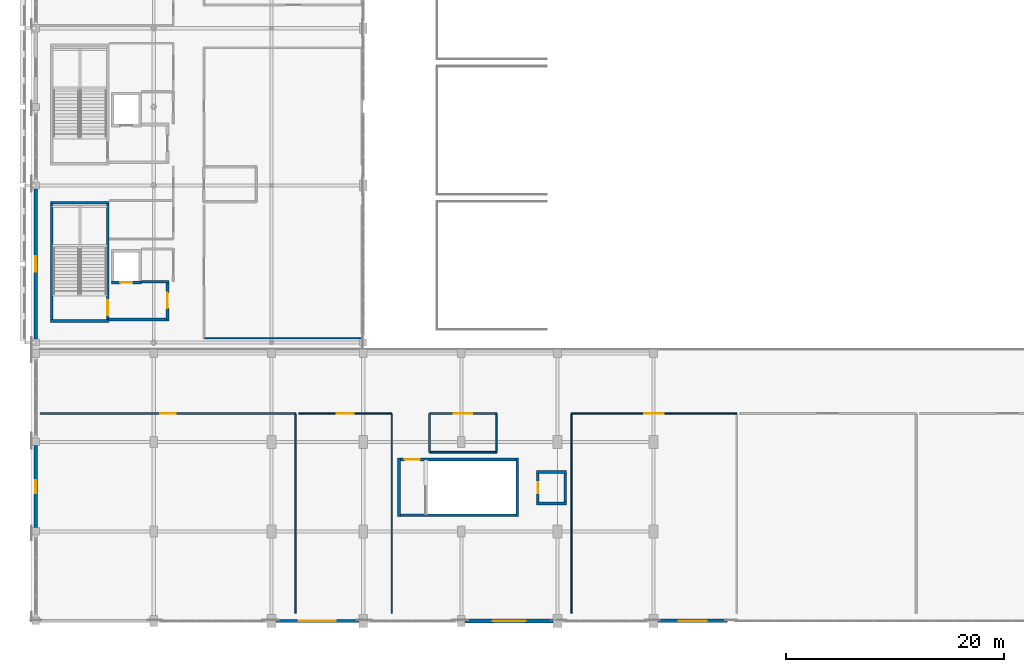
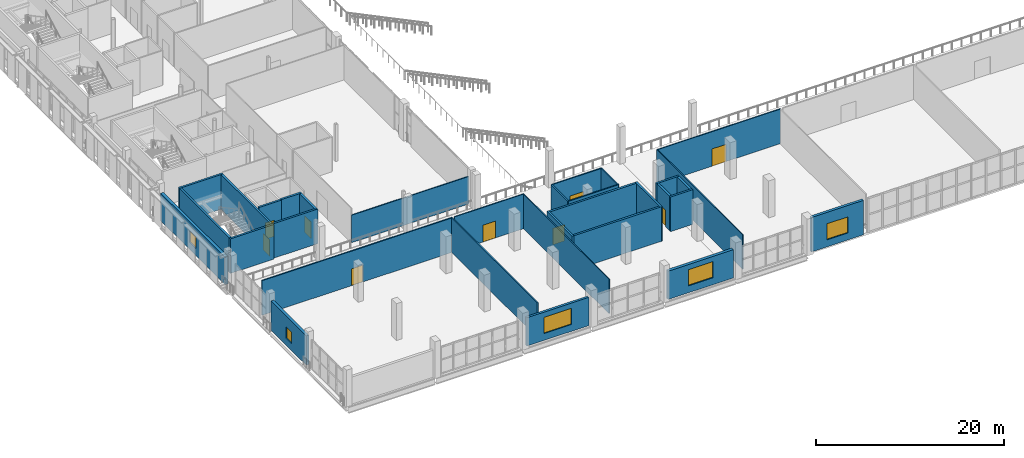
# One storey, part 62 of 104: 32 walls, 9 doors, 5 windows, 14 openings.
"""IFC4 building model written with IfcOpenShell, lengths in metres."""

from ifc_helpers import new_model, si_unit, direction, frame, frame_2d, origin, place, context, subcontext, project, spatial, rectangle, extrude, material, layer, layer_set, type_object, element, fill, save


model = new_model("IFC4")

# Units and contexts
model_context = context("Model", 3, precision=1e-05, world=origin(), true_north=direction((0.0, 1.0)))
body_context = subcontext(model_context, "Body", "Model", "MODEL_VIEW")
ifc_project = project(units=[si_unit("LENGTHUNIT", "METRE"), si_unit("AREAUNIT", "SQUARE_METRE"), si_unit("VOLUMEUNIT", "CUBIC_METRE"), si_unit("PLANEANGLEUNIT", "RADIAN"), si_unit("MASSUNIT", "GRAM", prefix="KILO")], contexts=[model_context])

# Site, building, storey
site_placement = place(None, origin())
site = spatial("IfcSite", under=ifc_project, at=site_placement, CompositionType="ELEMENT")
building_placement = place(site_placement, origin())
building = spatial("IfcBuilding", under=site, at=building_placement, Name="Koshinbarg Plaza Stadium", CompositionType="ELEMENT")
storey_placement = place(building_placement, frame((0.0, 0.0, 19.800048828125)))
storey = spatial("IfcBuildingStorey", under=building, at=storey_placement, Name="L04", CompositionType="ELEMENT", Elevation=19.800048828125)

# Walls
ifc_material_1 = material(Name="Concrete C40/50", Category="concrete")
ifc_layer_1 = layer(ifc_material_1, 0.25)
ifc_layer_set_1 = layer_set([ifc_layer_1], Name="Concrete C40/50")
wall_type_1 = type_object("IfcWallType", Name="WL-CORE-250", PredefinedType="SHEAR", material=ifc_layer_set_1)
for number, where, z_axis, x_axis, name in (
    (1, (25.949951171875, 27.47509765625, 0.0), (0.0, 0.0, 1.0), (1.0, 0.0, 0.0), "L04 core stair shear wall C01-near IWL-L04-0017"),
    (2, (31.320068359375, 38.324951171875, 0.0), (0.0, 0.0, 1.0), (-1.0, 0.0, 0.0), "L04 core stair shear wall C01-far IWL-L04-0018"),
):
    element("IfcWall", number, at=place(storey_placement, frame(where, z_axis=z_axis, x_axis=x_axis)), inside=storey, type_object=wall_type_1, Name=name, PredefinedType="SHEAR", context=body_context, shape_type="SweptSolid", body=[
        extrude(rectangle(XDim=5.3701171875, YDim=0.25, at=frame_2d((2.68505859375, 0.0))), origin(), (0.0, 0.0, 1.0), 4.5),
    ])
wall_1_placement = place(storey_placement, frame((26.074951171875, 27.47509765625, 0.0), z_axis=(0.0, 0.0, 1.0), x_axis=(0.0, 1.0, 0.0)))
element("IfcWall", 3, at=wall_1_placement, inside=storey, type_object=wall_type_1, Name="L04 core stair shear wall C01-left IWL-L04-0019", PredefinedType="SHEAR", context=body_context, shape_type="SweptSolid", body=[
    extrude(rectangle(XDim=10.849853515625, YDim=0.25, at=frame_2d((5.4248046875, 0.0))), origin(), (0.0, 0.0, 1.0), 4.5),
])

# Wall, opening, door
wall_2_placement = place(storey_placement, frame((31.195068359375, 27.47509765625, 0.0), z_axis=(0.0, 0.0, 1.0), x_axis=(0.0, 1.0, 0.0)))
wall_2 = element("IfcWall", 4, at=wall_2_placement, inside=storey, type_object=wall_type_1, Name="L04 core stair shear wall C01-right IWL-L04-0020", PredefinedType="SHEAR", context=body_context, shape_type="SweptSolid", body=[
    extrude(rectangle(XDim=10.849853515625, YDim=0.25, at=frame_2d((5.4248046875, 0.0))), origin(), (0.0, 0.0, 1.0), 4.5),
])
opening_1_placement = place(wall_2_placement, frame((0.52001953125, 0.0, 0.0)))
opening_1 = element("IfcOpeningElement", 5, at=opening_1_placement, cuts=wall_2, Name="Opening D-0065", PredefinedType="OPENING", context=body_context, shape_type="SweptSolid", body=[
    extrude(rectangle(XDim=1.39990234375, YDim=2.14990234375, at=frame_2d((0.699951171875, 1.074951171875))), frame((0.0, 0.135009765625, 0.0), z_axis=(0.0, -1.0, 0.0), x_axis=(1.0, 0.0, 0.0)), (0.0, 0.0, 1.0), 0.27001953125),
])
ifc_material_2 = material(Name="Painted galvanized steel fire door", Category="steel")
door_type_1 = type_object("IfcDoorType", Name="DR-STAIR-1400", OperationType="NOTDEFINED", PredefinedType="DOOR", material=ifc_material_2)
door_1_placement = place(opening_1_placement, origin())
door_1 = element("IfcDoor", 6, at=door_1_placement, inside=storey, type_object=door_type_1, Name="L04 exit stair door C01", OperationType="SINGLE_SWING_LEFT", OverallHeight=2.14990234375, OverallWidth=1.39990234375, PredefinedType="DOOR", context=body_context, shape_type="SweptSolid", body=[
    extrude(rectangle(XDim=1.39990234375, YDim=2.14990234375, at=frame_2d((0.699951171875, 1.074951171875))), frame((0.0, 0.02490234375, 0.0), z_axis=(0.0, -1.0, 0.0), x_axis=(1.0, 0.0, 0.0)), (0.0, 0.0, 1.0), 0.050048828125),
])
fill(opening_1, door_1)

# Walls
for number, where, z_axis, x_axis, name in (
    (7, (57.875, 14.919921875, 0.0), (0.0, 0.0, 1.0), (0.0, -1.0, 0.0), "L04 core stair shear wall C13-near IWL-L04-0306"),
    (8, (68.72509765625, 9.550048828125, 0.0), (0.0, 0.0, 1.0), (0.0, 1.0, 0.0), "L04 core stair shear wall C13-far IWL-L04-0307"),
):
    element("IfcWall", number, at=place(storey_placement, frame(where, z_axis=z_axis, x_axis=x_axis)), inside=storey, type_object=wall_type_1, Name=name, PredefinedType="SHEAR", context=body_context, shape_type="SweptSolid", body=[
        extrude(rectangle(XDim=5.369873046875, YDim=0.25, at=frame_2d((2.68505859375, 0.0))), origin(), (0.0, 0.0, 1.0), 4.5),
    ])

# Wall, opening, door
wall_3_placement = place(storey_placement, frame((57.875, 14.794921875, 0.0), z_axis=(0.0, 0.0, 1.0), x_axis=(1.0, 0.0, 0.0)))
wall_3 = element("IfcWall", 9, at=wall_3_placement, inside=storey, type_object=wall_type_1, Name="L04 core stair shear wall C13-left IWL-L04-0308", PredefinedType="SHEAR", context=body_context, shape_type="SweptSolid", body=[
    extrude(rectangle(XDim=10.85009765625, YDim=0.25, at=frame_2d((5.425048828125, 0.0))), origin(), (0.0, 0.0, 1.0), 4.5),
])
opening_2_placement = place(wall_3_placement, frame((0.52001953125, 0.0, 0.0)))
opening_2 = element("IfcOpeningElement", 10, at=opening_2_placement, cuts=wall_3, Name="Opening D-0139", PredefinedType="OPENING", context=body_context, shape_type="SweptSolid", body=[
    extrude(rectangle(XDim=1.39990234375, YDim=2.14990234375, at=frame_2d((0.699951171875, 1.074951171875))), frame((0.0, 0.135009765625, 0.0), z_axis=(0.0, -1.0, 0.0), x_axis=(1.0, 0.0, 0.0)), (0.0, 0.0, 1.0), 0.27001953125),
])
door_2_placement = place(opening_2_placement, frame((1.39990234375, 0.0, 0.0), z_axis=(0.0, 0.0, 1.0), x_axis=(-1.0, 0.0, 0.0)))
door_2 = element("IfcDoor", 11, at=door_2_placement, inside=storey, type_object=door_type_1, Name="L04 exit stair door C13", OperationType="SINGLE_SWING_LEFT", OverallHeight=2.14990234375, OverallWidth=1.39990234375, PredefinedType="DOOR", context=body_context, shape_type="SweptSolid", body=[
    extrude(rectangle(XDim=1.39990234375, YDim=2.14990234375, at=frame_2d((0.699951171875, 1.074951171875))), frame((0.0, 0.02490234375, 0.0), z_axis=(0.0, -1.0, 0.0), x_axis=(1.0, 0.0, 0.0)), (0.0, 0.0, 1.0), 0.050048828125),
])
fill(opening_2, door_2)

# Wall
wall_4_placement = place(storey_placement, frame((57.875, 9.675048828125, 0.0), z_axis=(0.0, 0.0, 1.0), x_axis=(1.0, 0.0, 0.0)))
element("IfcWall", 12, at=wall_4_placement, inside=storey, type_object=wall_type_1, Name="L04 core stair shear wall C13-right IWL-L04-0309", PredefinedType="SHEAR", context=body_context, shape_type="SweptSolid", body=[
    extrude(rectangle(XDim=10.85009765625, YDim=0.25, at=frame_2d((5.425048828125, 0.0))), origin(), (0.0, 0.0, 1.0), 4.5),
])

# Wall, opening, door
wall_5_placement = place(storey_placement, frame((31.52490234375, 31.0, 0.0), z_axis=(0.0, 0.0, 1.0), x_axis=(1.0, 0.0, 0.0)))
wall_5 = element("IfcWall", 13, at=wall_5_placement, inside=storey, type_object=wall_type_1, Name="L04 lift shaft shear wall FL01-S IWL-L04-0638", PredefinedType="SHEAR", context=body_context, shape_type="SweptSolid", body=[
    extrude(rectangle(XDim=2.75, YDim=0.25, at=frame_2d((1.375, 0.0))), origin(), (0.0, 0.0, 1.0), 4.5),
])
opening_3_placement = place(wall_5_placement, frame((0.824951171875, 0.0, 0.0)))
opening_3 = element("IfcOpeningElement", 14, at=opening_3_placement, cuts=wall_5, Name="Opening D-0223", PredefinedType="OPENING", context=body_context, shape_type="SweptSolid", body=[
    extrude(rectangle(XDim=1.10009765625, YDim=2.14990234375, at=frame_2d((0.550048828125, 1.074951171875))), frame((0.0, 0.135009765625, 0.0), z_axis=(0.0, -1.0, 0.0), x_axis=(1.0, 0.0, 0.0)), (0.0, 0.0, 1.0), 0.27001953125),
])
ifc_material_3 = material(Name="Brushed stainless steel sliding lift landing door", Category="steel")
door_type_2 = type_object("IfcDoorType", Name="DR-LIFT-1100", OperationType="NOTDEFINED", PredefinedType="DOOR", material=ifc_material_3)
door_3_placement = place(opening_3_placement, origin())
door_3 = element("IfcDoor", 15, at=door_3_placement, inside=storey, type_object=door_type_2, Name="L04 lift landing door FL01", OperationType="SLIDING_TO_RIGHT", OverallHeight=2.14990234375, OverallWidth=1.10009765625, PredefinedType="DOOR", context=body_context, shape_type="SweptSolid", body=[
    extrude(rectangle(XDim=1.10009765625, YDim=2.14990234375, at=frame_2d((0.550048828125, 1.074951171875))), frame((0.0, 0.02490234375, 0.0), z_axis=(0.0, -1.0, 0.0), x_axis=(1.0, 0.0, 0.0)), (0.0, 0.0, 1.0), 0.050048828125),
])
fill(opening_3, door_3)

wall_6_placement = place(storey_placement, frame((36.675048828125, 27.625, 0.0), z_axis=(0.0, 0.0, 1.0), x_axis=(0.0, 1.0, 0.0)))
wall_6 = element("IfcWall", 16, at=wall_6_placement, inside=storey, type_object=wall_type_1, Name="L04 firefighting lobby wall C01-E IWL-L04-0642", PredefinedType="SHEAR", context=body_context, shape_type="SweptSolid", body=[
    extrude(rectangle(XDim=3.449951171875, YDim=0.25, at=frame_2d((1.72509765625, 0.0))), origin(), (0.0, 0.0, 1.0), 4.5),
])
opening_4_placement = place(wall_6_placement, frame((1.02490234375, 0.0, 0.0)))
opening_4 = element("IfcOpeningElement", 17, at=opening_4_placement, cuts=wall_6, Name="Opening D-0224", PredefinedType="OPENING", context=body_context, shape_type="SweptSolid", body=[
    extrude(rectangle(XDim=1.39990234375, YDim=2.14990234375, at=frame_2d((0.699951171875, 1.074951171875))), frame((0.0, 0.135009765625, 0.0), z_axis=(0.0, -1.0, 0.0), x_axis=(1.0, 0.0, 0.0)), (0.0, 0.0, 1.0), 0.27001953125),
])
ifc_material_4 = material(Name="Smoke-sealed steel firefighting lobby door", Category="steel")
door_type_3 = type_object("IfcDoorType", Name="DR-FFLOB-1400", OperationType="NOTDEFINED", PredefinedType="DOOR", material=ifc_material_4)
door_4_placement = place(opening_4_placement, origin())
door_4 = element("IfcDoor", 18, at=door_4_placement, inside=storey, type_object=door_type_3, Name="L04 firefighting lobby fire door C01", OperationType="DOUBLE_DOOR_SINGLE_SWING", OverallHeight=2.14990234375, OverallWidth=1.39990234375, PredefinedType="DOOR", context=body_context, shape_type="SweptSolid", body=[
    extrude(rectangle(XDim=1.39990234375, YDim=2.14990234375, at=frame_2d((0.699951171875, 1.074951171875))), frame((0.0, 0.02490234375, 0.0), z_axis=(0.0, -1.0, 0.0), x_axis=(1.0, 0.0, 0.0)), (0.0, 0.0, 1.0), 0.050048828125),
])
fill(opening_4, door_4)

# Walls
wall_7_placement = place(storey_placement, frame((34.27490234375, 31.074951171875, 0.0), z_axis=(0.0, 0.0, 1.0), x_axis=(1.0, 0.0, 0.0)))
element("IfcWall", 19, at=wall_7_placement, inside=storey, type_object=wall_type_1, Name="L04 firefighting lobby wall C01-NE IWL-L04-0643", PredefinedType="SHEAR", context=body_context, shape_type="SweptSolid", body=[
    extrude(rectangle(XDim=2.525146484375, YDim=0.25, at=frame_2d((1.2626953125, 0.0))), origin(), (0.0, 0.0, 1.0), 4.5),
])
wall_8_placement = place(storey_placement, frame((31.199951171875, 27.625, 0.0), z_axis=(0.0, 0.0, 1.0), x_axis=(1.0, 0.0, 0.0)))
element("IfcWall", 20, at=wall_8_placement, inside=storey, type_object=wall_type_1, Name="L04 firefighting lobby wall C01-S IWL-L04-0644", PredefinedType="SHEAR", context=body_context, shape_type="SweptSolid", body=[
    extrude(rectangle(XDim=5.60009765625, YDim=0.25, at=frame_2d((2.800048828125, 0.0))), origin(), (0.0, 0.0, 1.0), 4.5),
])
for number, where, z_axis, x_axis, name in (
    (21, (70.47509765625, 10.75, 0.0), (0.0, 0.0, 1.0), (1.0, 0.0, 0.0), "L04 lift shaft shear wall LP09-S IWL-L04-1006"),
    (22, (73.22509765625, 13.64990234375, 0.0), (0.0, 0.0, 1.0), (-1.0, 0.0, 0.0), "L04 lift shaft shear wall LP09-N IWL-L04-1007"),
):
    element("IfcWall", number, at=place(storey_placement, frame(where, z_axis=z_axis, x_axis=x_axis)), inside=storey, type_object=wall_type_1, Name=name, PredefinedType="SHEAR", context=body_context, shape_type="SweptSolid", body=[
        extrude(rectangle(XDim=2.75, YDim=0.25, at=frame_2d((1.375, 0.0))), origin(), (0.0, 0.0, 1.0), 4.5),
    ])

# Wall, opening, door
wall_9_placement = place(storey_placement, frame((70.60009765625, 13.64990234375, 0.0), z_axis=(0.0, 0.0, 1.0), x_axis=(0.0, -1.0, 0.0)))
wall_9 = element("IfcWall", 23, at=wall_9_placement, inside=storey, type_object=wall_type_1, Name="L04 lift shaft shear wall LP09-W IWL-L04-1008", PredefinedType="SHEAR", context=body_context, shape_type="SweptSolid", body=[
    extrude(rectangle(XDim=2.89990234375, YDim=0.25, at=frame_2d((1.449951171875, 0.0))), origin(), (0.0, 0.0, 1.0), 4.5),
])
opening_5_placement = place(wall_9_placement, frame((0.925048828125, 0.0, 0.0)))
opening_5 = element("IfcOpeningElement", 24, at=opening_5_placement, cuts=wall_9, Name="Opening D-0321", PredefinedType="OPENING", context=body_context, shape_type="SweptSolid", body=[
    extrude(rectangle(XDim=1.050048828125, YDim=2.14990234375, at=frame_2d((0.52490234375, 1.074951171875))), frame((0.0, 0.135009765625, 0.0), z_axis=(0.0, -1.0, 0.0), x_axis=(1.0, 0.0, 0.0)), (0.0, 0.0, 1.0), 0.27001953125),
])
door_type_4 = type_object("IfcDoorType", Name="DR-LIFT-1050", OperationType="NOTDEFINED", PredefinedType="DOOR", material=ifc_material_3)
door_5_placement = place(opening_5_placement, origin())
door_5 = element("IfcDoor", 25, at=door_5_placement, inside=storey, type_object=door_type_4, Name="L04 lift landing door LP09", OperationType="SLIDING_TO_RIGHT", OverallHeight=2.14990234375, OverallWidth=1.050048828125, PredefinedType="DOOR", context=body_context, shape_type="SweptSolid", body=[
    extrude(rectangle(XDim=1.050048828125, YDim=2.14990234375, at=frame_2d((0.52490234375, 1.074951171875))), frame((0.0, 0.02490234375, 0.0), z_axis=(0.0, -1.0, 0.0), x_axis=(1.0, 0.0, 0.0)), (0.0, 0.0, 1.0), 0.050048828125),
])
fill(opening_5, door_5)

# Wall
wall_10_placement = place(storey_placement, frame((73.10009765625, 10.75, 0.0), z_axis=(0.0, 0.0, 1.0), x_axis=(0.0, 1.0, 0.0)))
element("IfcWall", 26, at=wall_10_placement, inside=storey, type_object=wall_type_1, Name="L04 lift shaft shear wall LP09-E IWL-L04-1009", PredefinedType="SHEAR", context=body_context, shape_type="SweptSolid", body=[
    extrude(rectangle(XDim=2.89990234375, YDim=0.25, at=frame_2d((1.449951171875, 0.0))), origin(), (0.0, 0.0, 1.0), 4.5),
])

# Wall, opening, window
ifc_material_5 = material(Name="Terracotta-ochre mineral plaster insulated wall", Category="masonry")
ifc_layer_2 = layer(ifc_material_5, 0.280029296875)
ifc_layer_set_2 = layer_set([ifc_layer_2], Name="Terracotta-ochre mineral plaster insulated wall")
wall_type_2 = type_object("IfcWallType", Name="WL-EXT-280", PredefinedType="SOLIDWALL", material=ifc_layer_set_2)
wall_11_placement = place(storey_placement, frame((54.205078125, 0.0, 0.0), z_axis=(0.0, 0.0, 1.0), x_axis=(-1.0, 0.0, 0.0)))
wall_11 = element("IfcWall", 27, at=wall_11_placement, inside=storey, type_object=wall_type_2, Name="L04 exterior envelope wall EWL-L04-0220", PredefinedType="SOLIDWALL", context=body_context, shape_type="SweptSolid", body=[
    extrude(rectangle(XDim=7.610107421875, YDim=0.280029296875, at=frame_2d((3.80517578125, 0.0))), origin(), (0.0, 0.0, 1.0), 3.679931640625),
])
opening_6_placement = place(wall_11_placement, frame((2.10498046875, 0.0, 0.89990234375)))
opening_6 = element("IfcOpeningElement", 28, at=opening_6_placement, cuts=wall_11, Name="Opening WN18", PredefinedType="OPENING", context=body_context, shape_type="SweptSolid", body=[
    extrude(rectangle(XDim=3.39990234375, YDim=2.10009765625, at=frame_2d((1.699951171875, 1.050048828125))), frame((0.0, 0.14990234375, 0.0), z_axis=(0.0, -1.0, 0.0), x_axis=(1.0, 0.0, 0.0)), (0.0, 0.0, 1.0), 0.300048828125),
])
ifc_material_6 = material(Name="Solar-control double glazing in thermally broken aluminium frame", Category="aluminium")
window_type_1 = type_object("IfcWindowType", Name="WN-FAC-18", PartitioningType="DOUBLE_PANEL_VERTICAL", PredefinedType="WINDOW", material=ifc_material_6)
window_1_placement = place(opening_6_placement, origin())
window_1 = element("IfcWindow", 29, at=window_1_placement, inside=storey, type_object=window_type_1, Name="L04 facade window 0152", OverallHeight=2.10009765625, OverallWidth=3.39990234375, PartitioningType="SINGLE_PANEL", PredefinedType="WINDOW", context=body_context, shape_type="SweptSolid", body=[
    extrude(rectangle(XDim=3.39990234375, YDim=2.10009765625, at=frame_2d((1.699951171875, 1.050048828125))), frame((0.0, 0.030029296875, 0.0), z_axis=(0.0, -1.0, 0.0), x_axis=(1.0, 0.0, 0.0)), (0.0, 0.0, 1.0), 0.06005859375),
])
fill(opening_6, window_1)

ifc_material_7 = material(Name="Ultramarine-blue pigmented mineral plaster facade wall", Category="masonry")
ifc_layer_3 = layer(ifc_material_7, 0.320068359375)
ifc_layer_set_3 = layer_set([ifc_layer_3], Name="Ultramarine-blue pigmented mineral plaster facade wall")
wall_type_3 = type_object("IfcWallType", Name="WL-EXT-320", PredefinedType="SOLIDWALL", material=ifc_layer_set_3)
wall_12_placement = place(storey_placement, frame((24.60009765625, 8.544921875, 0.0), z_axis=(0.0, 0.0, 1.0), x_axis=(0.0, 1.0, 0.0)))
wall_12 = element("IfcWall", 30, at=wall_12_placement, inside=storey, type_object=wall_type_3, Name="L04 exterior envelope wall EWL-L04-0202", PredefinedType="SOLIDWALL", context=body_context, shape_type="SweptSolid", body=[
    extrude(rectangle(XDim=7.510009765625, YDim=0.320068359375, at=frame_2d((3.7548828125, 0.0))), origin(), (0.0, 0.0, 1.0), 3.820068359375),
])
opening_7_placement = place(wall_12_placement, frame((3.155029296875, 0.0, 0.89990234375)))
opening_7 = element("IfcOpeningElement", 31, at=opening_7_placement, cuts=wall_12, Name="Opening WN01", PredefinedType="OPENING", context=body_context, shape_type="SweptSolid", body=[
    extrude(rectangle(XDim=1.199951171875, YDim=1.5, at=frame_2d((0.60009765625, 0.75))), frame((0.0, 0.169921875, 0.0), z_axis=(0.0, -1.0, 0.0), x_axis=(1.0, 0.0, 0.0)), (0.0, 0.0, 1.0), 0.340087890625),
])
window_type_2 = type_object("IfcWindowType", Name="WN-FAC-01", PartitioningType="DOUBLE_PANEL_VERTICAL", PredefinedType="WINDOW", material=ifc_material_6)
window_2_placement = place(opening_7_placement, origin())
window_2 = element("IfcWindow", 32, at=window_2_placement, inside=storey, type_object=window_type_2, Name="L04 facade window 0135", OverallHeight=1.5, OverallWidth=1.199951171875, PartitioningType="SINGLE_PANEL", PredefinedType="WINDOW", context=body_context, shape_type="SweptSolid", body=[
    extrude(rectangle(XDim=1.199951171875, YDim=1.5, at=frame_2d((0.60009765625, 0.75))), frame((0.0, 0.030029296875, 0.0), z_axis=(0.0, -1.0, 0.0), x_axis=(1.0, 0.0, 0.0)), (0.0, 0.0, 1.0), 0.06005859375),
])
fill(opening_7, window_2)

wall_13_placement = place(storey_placement, frame((88.0, 0.0, 0.0), z_axis=(0.0, 0.0, 1.0), x_axis=(-1.0, 0.0, 0.0)))
wall_13 = element("IfcWall", 33, at=wall_13_placement, inside=storey, type_object=wall_type_3, Name="L04 exterior envelope wall EWL-L04-0218", PredefinedType="SOLIDWALL", context=body_context, shape_type="SweptSolid", body=[
    extrude(rectangle(XDim=6.405029296875, YDim=0.320068359375, at=frame_2d((3.20263671875, 0.0))), origin(), (0.0, 0.0, 1.0), 4.47998046875),
])
opening_8_placement = place(wall_13_placement, frame((1.902587890625, 0.0, 0.89990234375)))
opening_8 = element("IfcOpeningElement", 34, at=opening_8_placement, cuts=wall_13, Name="Opening WN16", PredefinedType="OPENING", context=body_context, shape_type="SweptSolid", body=[
    extrude(rectangle(XDim=2.60009765625, YDim=2.10009765625, at=frame_2d((1.300048828125, 1.050048828125))), frame((0.0, 0.169921875, 0.0), z_axis=(0.0, -1.0, 0.0), x_axis=(1.0, 0.0, 0.0)), (0.0, 0.0, 1.0), 0.340087890625),
])
window_type_3 = type_object("IfcWindowType", Name="WN-FAC-16", PartitioningType="DOUBLE_PANEL_VERTICAL", PredefinedType="WINDOW", material=ifc_material_6)
window_3_placement = place(opening_8_placement, origin())
window_3 = element("IfcWindow", 35, at=window_3_placement, inside=storey, type_object=window_type_3, Name="L04 facade window 0150", OverallHeight=2.10009765625, OverallWidth=2.60009765625, PartitioningType="SINGLE_PANEL", PredefinedType="WINDOW", context=body_context, shape_type="SweptSolid", body=[
    extrude(rectangle(XDim=2.60009765625, YDim=2.10009765625, at=frame_2d((1.300048828125, 1.050048828125))), frame((0.0, 0.030029296875, 0.0), z_axis=(0.0, -1.0, 0.0), x_axis=(1.0, 0.0, 0.0)), (0.0, 0.0, 1.0), 0.06005859375),
])
fill(opening_8, window_3)

ifc_material_8 = material(Name="Acoustic insulated masonry stadium wall", Category="masonry")
ifc_layer_4 = layer(ifc_material_8, 0.35009765625)
ifc_layer_set_4 = layer_set([ifc_layer_4], Name="Acoustic insulated masonry stadium wall")
wall_type_4 = type_object("IfcWallType", Name="WL-EXT-350", PredefinedType="SOLIDWALL", material=ifc_layer_set_4)
wall_14_placement = place(storey_placement, frame((24.60009765625, 25.820068359375, 0.0), z_axis=(0.0, 0.0, 1.0), x_axis=(0.0, 1.0, 0.0)))
wall_14 = element("IfcWall", 36, at=wall_14_placement, inside=storey, type_object=wall_type_4, Name="L04 exterior envelope wall EWL-L04-0203", PredefinedType="SOLIDWALL", context=body_context, shape_type="SweptSolid", body=[
    extrude(rectangle(XDim=13.760009765625, YDim=0.35009765625, at=frame_2d((6.8798828125, 0.0))), origin(), (0.0, 0.0, 1.0), 3.579833984375),
])
opening_9_placement = place(wall_14_placement, frame((6.179931640625, 0.0, 0.89990234375)))
opening_9 = element("IfcOpeningElement", 37, at=opening_9_placement, cuts=wall_14, Name="Opening WN02", PredefinedType="OPENING", context=body_context, shape_type="SweptSolid", body=[
    extrude(rectangle(XDim=1.39990234375, YDim=1.5, at=frame_2d((0.699951171875, 0.75))), frame((0.0, 0.18505859375, 0.0), z_axis=(0.0, -1.0, 0.0), x_axis=(1.0, 0.0, 0.0)), (0.0, 0.0, 1.0), 0.3701171875),
])
window_type_4 = type_object("IfcWindowType", Name="WN-FAC-02", PartitioningType="DOUBLE_PANEL_VERTICAL", PredefinedType="WINDOW", material=ifc_material_6)
window_4_placement = place(opening_9_placement, origin())
window_4 = element("IfcWindow", 38, at=window_4_placement, inside=storey, type_object=window_type_4, Name="L04 facade window 0136", OverallHeight=1.5, OverallWidth=1.39990234375, PartitioningType="SINGLE_PANEL", PredefinedType="WINDOW", context=body_context, shape_type="SweptSolid", body=[
    extrude(rectangle(XDim=1.39990234375, YDim=1.5, at=frame_2d((0.699951171875, 0.75))), frame((0.0, 0.030029296875, 0.0), z_axis=(0.0, -1.0, 0.0), x_axis=(1.0, 0.0, 0.0)), (0.0, 0.0, 1.0), 0.06005859375),
])
fill(opening_9, window_4)

wall_15_placement = place(storey_placement, frame((72.0048828125, 0.0, 0.0), z_axis=(0.0, 0.0, 1.0), x_axis=(-1.0, 0.0, 0.0)))
wall_15 = element("IfcWall", 39, at=wall_15_placement, inside=storey, type_object=wall_type_4, Name="L04 exterior envelope wall EWL-L04-0219", PredefinedType="SOLIDWALL", context=body_context, shape_type="SweptSolid", body=[
    extrude(rectangle(XDim=8.059814453125, YDim=0.35009765625, at=frame_2d((4.02978515625, 0.0))), origin(), (0.0, 0.0, 1.0), 3.679931640625),
])
opening_10_placement = place(wall_15_placement, frame((2.530029296875, 0.0, 0.89990234375)))
opening_10 = element("IfcOpeningElement", 40, at=opening_10_placement, cuts=wall_15, Name="Opening WN17", PredefinedType="OPENING", context=body_context, shape_type="SweptSolid", body=[
    extrude(rectangle(XDim=3.0, YDim=2.10009765625, at=frame_2d((1.5, 1.050048828125))), frame((0.0, 0.18505859375, 0.0), z_axis=(0.0, -1.0, 0.0), x_axis=(1.0, 0.0, 0.0)), (0.0, 0.0, 1.0), 0.3701171875),
])
window_type_5 = type_object("IfcWindowType", Name="WN-FAC-17", PartitioningType="DOUBLE_PANEL_VERTICAL", PredefinedType="WINDOW", material=ifc_material_6)
window_5_placement = place(opening_10_placement, origin())
window_5 = element("IfcWindow", 41, at=window_5_placement, inside=storey, type_object=window_type_5, Name="L04 facade window 0151", OverallHeight=2.10009765625, OverallWidth=3.0, PartitioningType="SINGLE_PANEL", PredefinedType="WINDOW", context=body_context, shape_type="SweptSolid", body=[
    extrude(rectangle(XDim=3.0, YDim=2.10009765625, at=frame_2d((1.5, 1.050048828125))), frame((0.0, 0.030029296875, 0.0), z_axis=(0.0, -1.0, 0.0), x_axis=(1.0, 0.0, 0.0)), (0.0, 0.0, 1.0), 0.06005859375),
])
fill(opening_10, window_5)

# Walls
ifc_material_9 = material(Name="Gypsum board metal-stud acoustic partition")
ifc_layer_5 = layer(ifc_material_9, 0.1201171875)
ifc_layer_set_5 = layer_set([ifc_layer_5], Name="Gypsum board metal-stud acoustic partition")
wall_type_5 = type_object("IfcWallType", Name="WL-PART-120", PredefinedType="PARTITIONING", material=ifc_layer_set_5)
wall_16_placement = place(storey_placement, frame((40.0, 25.89501953125, 0.0), z_axis=(0.0, 0.0, 1.0), x_axis=(1.0, 0.0, 0.0)))
element("IfcWall", 42, at=wall_16_placement, inside=storey, type_object=wall_type_5, Name="L04 interior partition L04-41-south IWL-L04-2102", PredefinedType="PARTITIONING", context=body_context, shape_type="SweptSolid", body=[
    extrude(rectangle(XDim=14.47998046875, YDim=0.1201171875, at=frame_2d((7.239990234375, 0.0))), origin(), (0.0, 0.0, 1.0), 3.579833984375),
])
wall_17_placement = place(storey_placement, frame((57.219970703125, 0.699951171875, 0.0), z_axis=(0.0, 0.0, 1.0), x_axis=(0.0, 1.0, 0.0)))
element("IfcWall", 43, at=wall_17_placement, inside=storey, type_object=wall_type_5, Name="L04 interior partition L04-84-east IWL-L04-2220", PredefinedType="PARTITIONING", context=body_context, shape_type="SweptSolid", body=[
    extrude(rectangle(XDim=18.300048828125, YDim=0.1201171875, at=frame_2d((9.14990234375, 0.0))), origin(), (0.0, 0.0, 1.0), 4.5),
])

# Wall, opening, door
wall_18_placement = place(storey_placement, frame((57.219970703125, 19.0, 0.0), z_axis=(0.0, 0.0, 1.0), x_axis=(-1.0, 0.0, 0.0)))
wall_18 = element("IfcWall", 44, at=wall_18_placement, inside=storey, type_object=wall_type_5, Name="L04 interior partition L04-84-north IWL-L04-2221", PredefinedType="PARTITIONING", context=body_context, shape_type="SweptSolid", body=[
    extrude(rectangle(XDim=8.507568359375, YDim=0.1201171875, at=frame_2d((4.25390625, 0.0))), origin(), (0.0, 0.0, 1.0), 4.5),
])
opening_11_placement = place(wall_18_placement, frame((3.478759765625, 0.0, 0.0)))
opening_11 = element("IfcOpeningElement", 45, at=opening_11_placement, cuts=wall_18, Name="Opening D-0767", PredefinedType="OPENING", context=body_context, shape_type="SweptSolid", body=[
    extrude(rectangle(XDim=1.550048828125, YDim=2.199951171875, at=frame_2d((0.77490234375, 1.10009765625))), frame((0.0, 0.070068359375, 0.0), z_axis=(0.0, -1.0, 0.0), x_axis=(1.0, 0.0, 0.0)), (0.0, 0.0, 1.0), 0.14013671875),
])
ifc_material_10 = material(Name="Toughened laminated glass in aluminium frame", Category="aluminium")
door_type_5 = type_object("IfcDoorType", Name="DR-INT-1550x2200", OperationType="NOTDEFINED", PredefinedType="DOOR", material=ifc_material_10)
door_6_placement = place(opening_11_placement, origin())
door_6 = element("IfcDoor", 46, at=door_6_placement, inside=storey, type_object=door_type_5, Name="L04 South Press Lounge door D-0767", OperationType="DOUBLE_DOOR_SINGLE_SWING", OverallHeight=2.199951171875, OverallWidth=1.550048828125, PredefinedType="DOOR", context=body_context, shape_type="SweptSolid", body=[
    extrude(rectangle(XDim=1.550048828125, YDim=2.199951171875, at=frame_2d((0.77490234375, 1.10009765625))), frame((0.0, 0.02490234375, 0.0), z_axis=(0.0, -1.0, 0.0), x_axis=(1.0, 0.0, 0.0)), (0.0, 0.0, 1.0), 0.050048828125),
])
fill(opening_11, door_6)

wall_19_placement = place(storey_placement, frame((88.8232421875, 19.0, 0.0), z_axis=(0.0, 0.0, 1.0), x_axis=(-1.0, 0.0, 0.0)))
wall_19 = element("IfcWall", 47, at=wall_19_placement, inside=storey, type_object=wall_type_5, Name="L04 interior partition L04-86-north IWL-L04-2227", PredefinedType="PARTITIONING", context=body_context, shape_type="SweptSolid", body=[
    extrude(rectangle(XDim=15.143310546875, YDim=0.1201171875, at=frame_2d((7.57177734375, 0.0))), origin(), (0.0, 0.0, 1.0), 4.5),
])
opening_12_placement = place(wall_19_placement, frame((6.691650390625, 0.0, 0.0)))
opening_12 = element("IfcOpeningElement", 48, at=opening_12_placement, cuts=wall_19, Name="Opening D-0769", PredefinedType="OPENING", context=body_context, shape_type="SweptSolid", body=[
    extrude(rectangle(XDim=1.760009765625, YDim=2.25, at=frame_2d((0.8798828125, 1.125))), frame((0.0, 0.070068359375, 0.0), z_axis=(0.0, -1.0, 0.0), x_axis=(1.0, 0.0, 0.0)), (0.0, 0.0, 1.0), 0.14013671875),
])
ifc_material_11 = material(Name="Solid-core oak veneer double swing door")
door_type_6 = type_object("IfcDoorType", Name="DR-INT-1760x2250", OperationType="NOTDEFINED", PredefinedType="DOOR", material=ifc_material_11)
door_7_placement = place(opening_12_placement, origin())
door_7 = element("IfcDoor", 49, at=door_7_placement, inside=storey, type_object=door_type_6, Name="L04 South Press Lounge door D-0769", OperationType="DOUBLE_DOOR_SINGLE_SWING", OverallHeight=2.25, OverallWidth=1.760009765625, PredefinedType="DOOR", context=body_context, shape_type="SweptSolid", body=[
    extrude(rectangle(XDim=1.760009765625, YDim=2.25, at=frame_2d((0.8798828125, 1.125))), frame((0.0, 0.02490234375, 0.0), z_axis=(0.0, -1.0, 0.0), x_axis=(1.0, 0.0, 0.0)), (0.0, 0.0, 1.0), 0.050048828125),
])
fill(opening_12, door_7)

# Walls
wall_20_placement = place(storey_placement, frame((73.679931640625, 19.0, 0.0), z_axis=(0.0, 0.0, 1.0), x_axis=(0.0, -1.0, 0.0)))
element("IfcWall", 50, at=wall_20_placement, inside=storey, type_object=wall_type_5, Name="L04 interior partition L04-86-west IWL-L04-2228", PredefinedType="PARTITIONING", context=body_context, shape_type="SweptSolid", body=[
    extrude(rectangle(XDim=18.300048828125, YDim=0.1201171875, at=frame_2d((9.14990234375, 0.0))), origin(), (0.0, 0.0, 1.0), 4.5),
])
ifc_material_12 = material(Name="Double-layer gypsum acoustic suite partition")
ifc_layer_6 = layer(ifc_material_12, 0.14990234375)
ifc_layer_set_6 = layer_set([ifc_layer_6], Name="Double-layer gypsum acoustic suite partition")
wall_type_6 = type_object("IfcWallType", Name="WL-PART-150", PredefinedType="PARTITIONING", material=ifc_layer_set_6)
wall_21_placement = place(storey_placement, frame((48.41259765625, 0.699951171875, 0.0), z_axis=(0.0, 0.0, 1.0), x_axis=(0.0, 1.0, 0.0)))
element("IfcWall", 51, at=wall_21_placement, inside=storey, type_object=wall_type_6, Name="L04 interior partition L04-83-east IWL-L04-2218", PredefinedType="PARTITIONING", context=body_context, shape_type="SweptSolid", body=[
    extrude(rectangle(XDim=18.300048828125, YDim=0.14990234375, at=frame_2d((9.14990234375, 0.0))), origin(), (0.0, 0.0, 1.0), 4.5),
])

# Wall, opening, door
wall_22_placement = place(storey_placement, frame((48.41259765625, 19.0, 0.0), z_axis=(0.0, 0.0, 1.0), x_axis=(-1.0, 0.0, 0.0)))
wall_22 = element("IfcWall", 52, at=wall_22_placement, inside=storey, type_object=wall_type_6, Name="L04 interior partition L04-83-north IWL-L04-2219", PredefinedType="PARTITIONING", context=body_context, shape_type="SweptSolid", body=[
    extrude(rectangle(XDim=23.41748046875, YDim=0.14990234375, at=frame_2d((11.708740234375, 0.0))), origin(), (0.0, 0.0, 1.0), 4.5),
])
opening_13_placement = place(wall_22_placement, frame((11.0087890625, 0.0, 0.0)))
opening_13 = element("IfcOpeningElement", 53, at=opening_13_placement, cuts=wall_22, Name="Opening D-0766", PredefinedType="OPENING", context=body_context, shape_type="SweptSolid", body=[
    extrude(rectangle(XDim=1.39990234375, YDim=2.199951171875, at=frame_2d((0.699951171875, 1.10009765625))), frame((0.0, 0.0849609375, 0.0), z_axis=(0.0, -1.0, 0.0), x_axis=(1.0, 0.0, 0.0)), (0.0, 0.0, 1.0), 0.169921875),
])
ifc_material_13 = material(Name="Stainless-clad solid-core timber double fire door", Category="wood")
door_type_7 = type_object("IfcDoorType", Name="DR-INT-1400x2200", OperationType="NOTDEFINED", PredefinedType="DOOR", material=ifc_material_13)
door_8_placement = place(opening_13_placement, origin())
door_8 = element("IfcDoor", 54, at=door_8_placement, inside=storey, type_object=door_type_7, Name="L04 Post-Match Media Studio door D-0766", OperationType="DOUBLE_DOOR_SINGLE_SWING", OverallHeight=2.199951171875, OverallWidth=1.39990234375, PredefinedType="DOOR", context=body_context, shape_type="SweptSolid", body=[
    extrude(rectangle(XDim=1.39990234375, YDim=2.199951171875, at=frame_2d((0.699951171875, 1.10009765625))), frame((0.0, 0.02490234375, 0.0), z_axis=(0.0, -1.0, 0.0), x_axis=(1.0, 0.0, 0.0)), (0.0, 0.0, 1.0), 0.050048828125),
])
fill(opening_13, door_8)

# Walls
wall_23_placement = place(storey_placement, frame((60.679931640625, 15.449951171875, 0.0), z_axis=(0.0, 0.0, 1.0), x_axis=(1.0, 0.0, 0.0)))
element("IfcWall", 55, at=wall_23_placement, inside=storey, type_object=wall_type_6, Name="L04 interior partition L04-85-south IWL-L04-2222", PredefinedType="PARTITIONING", context=body_context, shape_type="SweptSolid", body=[
    extrude(rectangle(XDim=6.14013671875, YDim=0.14990234375, at=frame_2d((3.070068359375, 0.0))), origin(), (0.0, 0.0, 1.0), 4.5),
])
wall_24_placement = place(storey_placement, frame((66.820068359375, 15.449951171875, 0.0), z_axis=(0.0, 0.0, 1.0), x_axis=(0.0, 1.0, 0.0)))
element("IfcWall", 56, at=wall_24_placement, inside=storey, type_object=wall_type_6, Name="L04 interior partition L04-85-east IWL-L04-2223", PredefinedType="PARTITIONING", context=body_context, shape_type="SweptSolid", body=[
    extrude(rectangle(XDim=3.550048828125, YDim=0.14990234375, at=frame_2d((1.77490234375, 0.0))), origin(), (0.0, 0.0, 1.0), 4.5),
])

# Wall, opening, door
wall_25_placement = place(storey_placement, frame((66.820068359375, 19.0, 0.0), z_axis=(0.0, 0.0, 1.0), x_axis=(-1.0, 0.0, 0.0)))
wall_25 = element("IfcWall", 57, at=wall_25_placement, inside=storey, type_object=wall_type_6, Name="L04 interior partition L04-85-north IWL-L04-2224", PredefinedType="PARTITIONING", context=body_context, shape_type="SweptSolid", body=[
    extrude(rectangle(XDim=6.14013671875, YDim=0.14990234375, at=frame_2d((3.070068359375, 0.0))), origin(), (0.0, 0.0, 1.0), 4.5),
])
opening_14_placement = place(wall_25_placement, frame((2.22998046875, 0.0, 0.0)))
opening_14 = element("IfcOpeningElement", 58, at=opening_14_placement, cuts=wall_25, Name="Opening D-0768", PredefinedType="OPENING", context=body_context, shape_type="SweptSolid", body=[
    extrude(rectangle(XDim=1.679931640625, YDim=2.25, at=frame_2d((0.83984375, 1.125))), frame((0.0, 0.0849609375, 0.0), z_axis=(0.0, -1.0, 0.0), x_axis=(1.0, 0.0, 0.0)), (0.0, 0.0, 1.0), 0.169921875),
])
ifc_material_14 = material(Name="Powder-coated aluminium double glazed door", Category="aluminium")
door_type_8 = type_object("IfcDoorType", Name="DR-INT-1680x2250", OperationType="NOTDEFINED", PredefinedType="DOOR", material=ifc_material_14)
door_9_placement = place(opening_14_placement, origin())
door_9 = element("IfcDoor", 59, at=door_9_placement, inside=storey, type_object=door_type_8, Name="L04 Commentary Editing Salon door D-0768", OperationType="DOUBLE_DOOR_SINGLE_SWING", OverallHeight=2.25, OverallWidth=1.679931640625, PredefinedType="DOOR", context=body_context, shape_type="SweptSolid", body=[
    extrude(rectangle(XDim=1.679931640625, YDim=2.25, at=frame_2d((0.83984375, 1.125))), frame((0.0, 0.02490234375, 0.0), z_axis=(0.0, -1.0, 0.0), x_axis=(1.0, 0.0, 0.0)), (0.0, 0.0, 1.0), 0.050048828125),
])
fill(opening_14, door_9)

# Wall
wall_26_placement = place(storey_placement, frame((60.679931640625, 19.0, 0.0), z_axis=(0.0, 0.0, 1.0), x_axis=(0.0, -1.0, 0.0)))
element("IfcWall", 60, at=wall_26_placement, inside=storey, type_object=wall_type_6, Name="L04 interior partition L04-85-west IWL-L04-2225", PredefinedType="PARTITIONING", context=body_context, shape_type="SweptSolid", body=[
    extrude(rectangle(XDim=3.550048828125, YDim=0.14990234375, at=frame_2d((1.77490234375, 0.0))), origin(), (0.0, 0.0, 1.0), 4.5),
])

save(model, "model.ifc")
